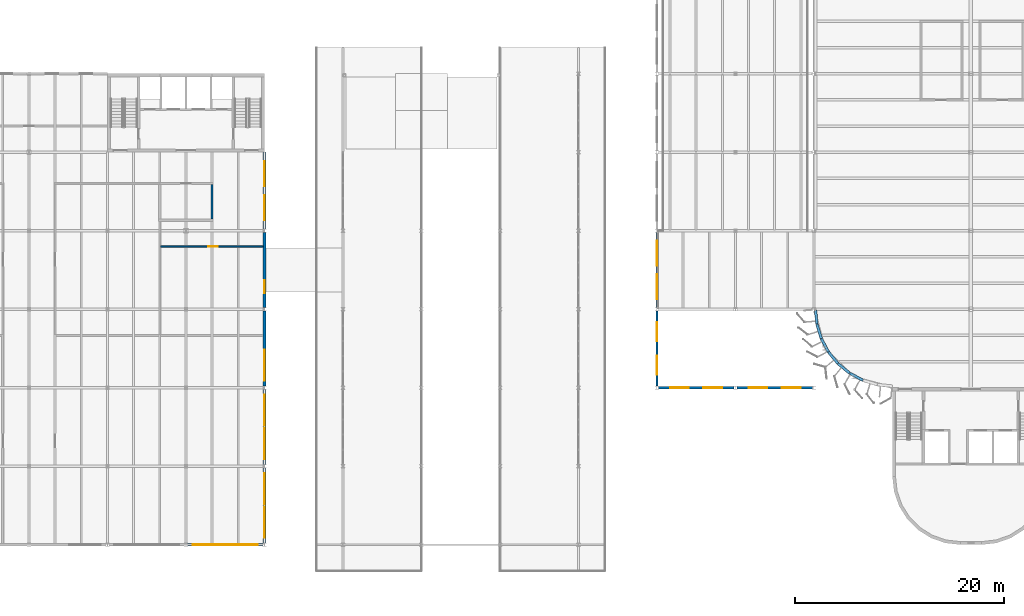
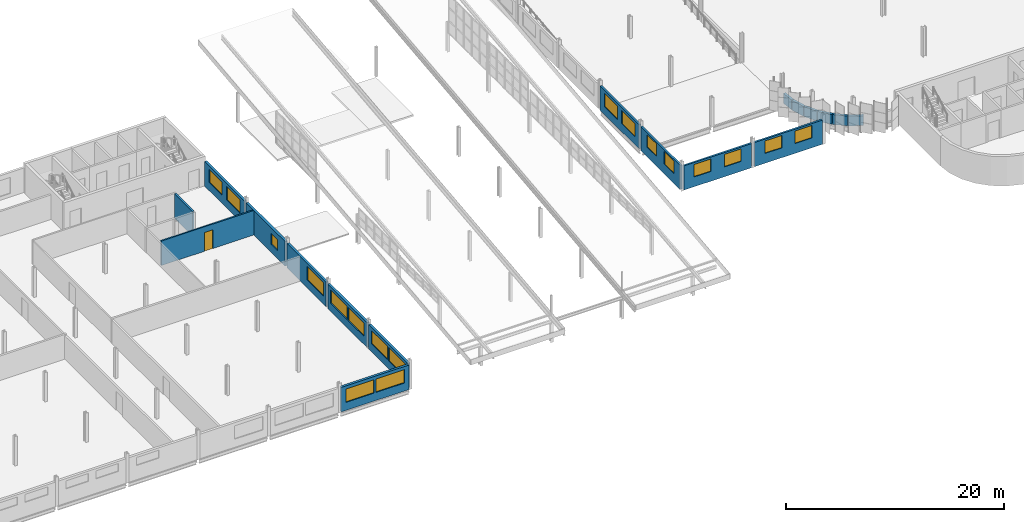
# One storey, part 59 of 199: 18 walls, 18 windows, 1 door, 19 openings.
"""IFC4 building model written with IfcOpenShell, lengths in metres."""

from ifc_helpers import new_model, si_unit, direction, frame, frame_2d, origin, place, context, subcontext, project, spatial, rectangle, extrude, material, layer, layer_set, type_object, element, fill, save


model = new_model("IFC4")

# Units and contexts
model_context = context("Model", 3, precision=1e-05, world=origin(), true_north=direction((0.0, 1.0)))
body_context = subcontext(model_context, "Body", "Model", "MODEL_VIEW")
ifc_project = project(units=[si_unit("LENGTHUNIT", "METRE"), si_unit("AREAUNIT", "SQUARE_METRE"), si_unit("VOLUMEUNIT", "CUBIC_METRE"), si_unit("PLANEANGLEUNIT", "RADIAN"), si_unit("MASSUNIT", "GRAM", prefix="KILO")], contexts=[model_context])

# Site, building, storey
site_placement = place(None, origin())
site = spatial("IfcSite", under=ifc_project, at=site_placement, CompositionType="ELEMENT")
building_placement = place(site_placement, origin())
building = spatial("IfcBuilding", under=site, at=building_placement, Name="Parallax Yard Mobility Hub", CompositionType="ELEMENT")
storey_placement = place(building_placement, frame((0.0, 0.0, 9.89990234375)))
storey = spatial("IfcBuildingStorey", under=building, at=storey_placement, Name="L03", CompositionType="ELEMENT", Elevation=9.89990234375)

# Walls
ifc_material_1 = material(Name="Concrete fc' 35 MPa", Category="concrete")
ifc_layer_1 = layer(ifc_material_1, 0.25)
ifc_layer_set_1 = layer_set([ifc_layer_1], Name="Deck-edge barrier wall, Concrete fc' 35 MPa precast, 250")
wall_type_1 = type_object("IfcWallType", Name="Deck-edge barrier wall, Concrete fc' 35 MPa precast, 250", PredefinedType="SOLIDWALL", material=ifc_layer_set_1)
wall_1_placement = place(storey_placement, frame((195.158935546875, 29.90380859375, 0.0), z_axis=(0.0, 0.0, 1.0), x_axis=(0.098067173263, -0.995179797588, 0.0)))
element("IfcWall", 1, at=wall_1_placement, inside=storey, type_object=wall_type_1, Name="Deck-edge barrier wall bay 30-1 level L03", PredefinedType="SOLIDWALL", context=body_context, shape_type="SweptSolid", body=[
    extrude(rectangle(XDim=1.329345703125, YDim=0.25, at=frame_2d((0.66455078125, 0.0))), origin(), (0.0, 0.0, 1.0), 1.10009765625),
])
wall_2_placement = place(storey_placement, frame((195.294921875, 28.55224609375, 0.0), z_axis=(0.0, 0.0, 1.0), x_axis=(0.290156256793, -0.956979282244, 0.0)))
element("IfcWall", 2, at=wall_2_placement, inside=storey, type_object=wall_type_1, Name="Deck-edge barrier wall bay 30-2 level L03", PredefinedType="SOLIDWALL", context=body_context, shape_type="SweptSolid", body=[
    extrude(rectangle(XDim=1.4111328125, YDim=0.25, at=frame_2d((0.70556640625, 0.0))), origin(), (0.0, 0.0, 1.0), 1.10009765625),
])
wall_3_placement = place(storey_placement, frame((195.715576171875, 27.1748046875, 0.0), z_axis=(0.0, 0.0, 1.0), x_axis=(0.47134246414, -0.881950271557, 0.0)))
element("IfcWall", 3, at=wall_3_placement, inside=storey, type_object=wall_type_1, Name="Deck-edge barrier wall bay 30-3 level L03", PredefinedType="SOLIDWALL", context=body_context, shape_type="SweptSolid", body=[
    extrude(rectangle(XDim=1.410888671875, YDim=0.25, at=frame_2d((0.70556640625, 0.0))), origin(), (0.0, 0.0, 1.0), 1.10009765625),
])
wall_4_placement = place(storey_placement, frame((196.396728515625, 25.90625, 0.0), z_axis=(0.0, 0.0, 1.0), x_axis=(0.634226469424, -0.773147324565, 0.0)))
element("IfcWall", 4, at=wall_4_placement, inside=storey, type_object=wall_type_1, Name="Deck-edge barrier wall bay 30-4 level L03", PredefinedType="SOLIDWALL", context=body_context, shape_type="SweptSolid", body=[
    extrude(rectangle(XDim=1.4111328125, YDim=0.25, at=frame_2d((0.70556640625, 0.0))), origin(), (0.0, 0.0, 1.0), 1.10009765625),
])
wall_5_placement = place(storey_placement, frame((197.3125, 24.794677734375, 0.0), z_axis=(0.0, 0.0, 1.0), x_axis=(0.772853557298, -0.634584414378, 0.0)))
element("IfcWall", 5, at=wall_5_placement, inside=storey, type_object=wall_type_1, Name="Deck-edge barrier wall bay 30-5 level L03", PredefinedType="SOLIDWALL", context=body_context, shape_type="SweptSolid", body=[
    extrude(rectangle(XDim=1.410888671875, YDim=0.25, at=frame_2d((0.70556640625, 0.0))), origin(), (0.0, 0.0, 1.0), 1.10009765625),
])
wall_6_placement = place(storey_placement, frame((198.427001953125, 23.883056640625, 0.0), z_axis=(0.0, 0.0, 1.0), x_axis=(0.881695934993, -0.471818056265, 0.0)))
element("IfcWall", 6, at=wall_6_placement, inside=storey, type_object=wall_type_1, Name="Deck-edge barrier wall bay 30-6 level L03", PredefinedType="SOLIDWALL", context=body_context, shape_type="SweptSolid", body=[
    extrude(rectangle(XDim=1.4111328125, YDim=0.25, at=frame_2d((0.70556640625, 0.0))), origin(), (0.0, 0.0, 1.0), 1.10009765625),
])

# Wall, openings, windows
ifc_layer_2 = layer(ifc_material_1, 0.25)
ifc_layer_set_2 = layer_set([ifc_layer_2], Name="Exterior wall, Concrete fc' 35 MPa precast, 250 with insulation lining")
wall_type_2 = type_object("IfcWallType", Name="Exterior wall, Concrete fc' 35 MPa precast, 250 with insulation lining", PredefinedType="SOLIDWALL", material=ifc_layer_set_2)
wall_7_placement = place(storey_placement, frame((135.153564453125, 7.5, 0.0), z_axis=(0.0, 0.0, 1.0), x_axis=(1.0, 0.0, 0.0)))
wall_7 = element("IfcWall", 7, at=wall_7_placement, inside=storey, type_object=wall_type_2, Name="Mobility service centre and workshops south wall bay 6 level L03", PredefinedType="SOLIDWALL", context=body_context, shape_type="SweptSolid", body=[
    extrude(rectangle(XDim=7.19287109375, YDim=0.25, at=frame_2d((3.596435546875, 0.0))), origin(), (0.0, 0.0, 1.0), 2.7509765625),
])
opening_1_placement = place(wall_7_placement, frame((0.497802734375, 0.0, 0.89990234375)))
opening_1 = element("IfcOpeningElement", 8, at=opening_1_placement, cuts=wall_7, Name="Opening W7", PredefinedType="OPENING", context=body_context, shape_type="SweptSolid", body=[
    extrude(rectangle(XDim=3.0, YDim=1.5, at=frame_2d((1.5, 0.75))), frame((0.0, 0.135009765625, 0.0), z_axis=(0.0, -1.0, 0.0), x_axis=(1.0, 0.0, 0.0)), (0.0, 0.0, 1.0), 0.27001953125),
])
opening_2_placement = place(wall_7_placement, frame((3.6953125, 0.0, 0.89990234375)))
opening_2 = element("IfcOpeningElement", 9, at=opening_2_placement, cuts=wall_7, Name="Opening W7", PredefinedType="OPENING", context=body_context, shape_type="SweptSolid", body=[
    extrude(rectangle(XDim=3.0, YDim=1.5, at=frame_2d((1.5, 0.75))), frame((0.0, 0.135009765625, 0.0), z_axis=(0.0, -1.0, 0.0), x_axis=(1.0, 0.0, 0.0)), (0.0, 0.0, 1.0), 0.27001953125),
])
ifc_material_2 = material(Name="Double glazed low-E unit in thermally broken aluminium frame", Category="aluminium")
window_type_1 = type_object("IfcWindowType", Name="Meeting room window 3000 x 1500", PartitioningType="TRIPLE_PANEL_VERTICAL", PredefinedType="WINDOW", material=ifc_material_2)
window_1_placement = place(opening_1_placement, origin())
window_1 = element("IfcWindow", 10, at=window_1_placement, inside=storey, type_object=window_type_1, Name="Window W7 level L03", OverallHeight=1.5, OverallWidth=3.0, PartitioningType="TRIPLE_PANEL_VERTICAL", PredefinedType="WINDOW", context=body_context, shape_type="SweptSolid", body=[
    extrude(rectangle(XDim=3.0, YDim=1.5, at=frame_2d((1.5, 0.75))), frame((0.0, 0.030029296875, 0.0), z_axis=(0.0, -1.0, 0.0), x_axis=(1.0, 0.0, 0.0)), (0.0, 0.0, 1.0), 0.06005859375),
])
fill(opening_1, window_1)
window_2_placement = place(opening_2_placement, origin())
window_2 = element("IfcWindow", 11, at=window_2_placement, inside=storey, type_object=window_type_1, Name="Window W7 level L03", OverallHeight=1.5, OverallWidth=3.0, PartitioningType="TRIPLE_PANEL_VERTICAL", PredefinedType="WINDOW", context=body_context, shape_type="SweptSolid", body=[
    extrude(rectangle(XDim=3.0, YDim=1.5, at=frame_2d((1.5, 0.75))), frame((0.0, 0.030029296875, 0.0), z_axis=(0.0, -1.0, 0.0), x_axis=(1.0, 0.0, 0.0)), (0.0, 0.0, 1.0), 0.06005859375),
])
fill(opening_2, window_2)

wall_8_placement = place(storey_placement, frame((142.5, 7.653564453125, 0.0), z_axis=(0.0, 0.0, 1.0), x_axis=(0.0, 1.0, 0.0)))
wall_8 = element("IfcWall", 12, at=wall_8_placement, inside=storey, type_object=wall_type_2, Name="Mobility service centre and workshops east wall bay 1 level L03", PredefinedType="SOLIDWALL", context=body_context, shape_type="SweptSolid", body=[
    extrude(rectangle(XDim=7.19287109375, YDim=0.25, at=frame_2d((3.596435546875, 0.0))), origin(), (0.0, 0.0, 1.0), 2.7509765625),
])
opening_3_placement = place(wall_8_placement, frame((0.497802734375, 0.0, 0.89990234375)))
opening_3 = element("IfcOpeningElement", 13, at=opening_3_placement, cuts=wall_8, Name="Opening W7", PredefinedType="OPENING", context=body_context, shape_type="SweptSolid", body=[
    extrude(rectangle(XDim=3.0, YDim=1.5, at=frame_2d((1.5, 0.75))), frame((0.0, 0.135009765625, 0.0), z_axis=(0.0, -1.0, 0.0), x_axis=(1.0, 0.0, 0.0)), (0.0, 0.0, 1.0), 0.27001953125),
])
opening_4_placement = place(wall_8_placement, frame((3.6953125, 0.0, 0.89990234375)))
opening_4 = element("IfcOpeningElement", 14, at=opening_4_placement, cuts=wall_8, Name="Opening W7", PredefinedType="OPENING", context=body_context, shape_type="SweptSolid", body=[
    extrude(rectangle(XDim=3.0, YDim=1.5, at=frame_2d((1.5, 0.75))), frame((0.0, 0.135009765625, 0.0), z_axis=(0.0, -1.0, 0.0), x_axis=(1.0, 0.0, 0.0)), (0.0, 0.0, 1.0), 0.27001953125),
])
window_3_placement = place(opening_3_placement, origin())
window_3 = element("IfcWindow", 15, at=window_3_placement, inside=storey, type_object=window_type_1, Name="Window W7 level L03", OverallHeight=1.5, OverallWidth=3.0, PartitioningType="TRIPLE_PANEL_VERTICAL", PredefinedType="WINDOW", context=body_context, shape_type="SweptSolid", body=[
    extrude(rectangle(XDim=3.0, YDim=1.5, at=frame_2d((1.5, 0.75))), frame((0.0, 0.030029296875, 0.0), z_axis=(0.0, -1.0, 0.0), x_axis=(1.0, 0.0, 0.0)), (0.0, 0.0, 1.0), 0.06005859375),
])
fill(opening_3, window_3)
window_4_placement = place(opening_4_placement, origin())
window_4 = element("IfcWindow", 16, at=window_4_placement, inside=storey, type_object=window_type_1, Name="Window W7 level L03", OverallHeight=1.5, OverallWidth=3.0, PartitioningType="TRIPLE_PANEL_VERTICAL", PredefinedType="WINDOW", context=body_context, shape_type="SweptSolid", body=[
    extrude(rectangle(XDim=3.0, YDim=1.5, at=frame_2d((1.5, 0.75))), frame((0.0, 0.030029296875, 0.0), z_axis=(0.0, -1.0, 0.0), x_axis=(1.0, 0.0, 0.0)), (0.0, 0.0, 1.0), 0.06005859375),
])
fill(opening_4, window_4)

wall_9_placement = place(storey_placement, frame((142.5, 15.153564453125, 0.0), z_axis=(0.0, 0.0, 1.0), x_axis=(0.0, 1.0, 0.0)))
wall_9 = element("IfcWall", 17, at=wall_9_placement, inside=storey, type_object=wall_type_2, Name="Mobility service centre and workshops east wall bay 2 level L03", PredefinedType="SOLIDWALL", context=body_context, shape_type="SweptSolid", body=[
    extrude(rectangle(XDim=7.19287109375, YDim=0.25, at=frame_2d((3.596435546875, 0.0))), origin(), (0.0, 0.0, 1.0), 2.7509765625),
])
opening_5_placement = place(wall_9_placement, frame((0.497802734375, 0.0, 0.89990234375)))
opening_5 = element("IfcOpeningElement", 18, at=opening_5_placement, cuts=wall_9, Name="Opening W7", PredefinedType="OPENING", context=body_context, shape_type="SweptSolid", body=[
    extrude(rectangle(XDim=3.0, YDim=1.5, at=frame_2d((1.5, 0.75))), frame((0.0, 0.135009765625, 0.0), z_axis=(0.0, -1.0, 0.0), x_axis=(1.0, 0.0, 0.0)), (0.0, 0.0, 1.0), 0.27001953125),
])
opening_6_placement = place(wall_9_placement, frame((3.6953125, 0.0, 0.89990234375)))
opening_6 = element("IfcOpeningElement", 19, at=opening_6_placement, cuts=wall_9, Name="Opening W7", PredefinedType="OPENING", context=body_context, shape_type="SweptSolid", body=[
    extrude(rectangle(XDim=3.0, YDim=1.5, at=frame_2d((1.5, 0.75))), frame((0.0, 0.135009765625, 0.0), z_axis=(0.0, -1.0, 0.0), x_axis=(1.0, 0.0, 0.0)), (0.0, 0.0, 1.0), 0.27001953125),
])
window_5_placement = place(opening_5_placement, origin())
window_5 = element("IfcWindow", 20, at=window_5_placement, inside=storey, type_object=window_type_1, Name="Window W7 level L03", OverallHeight=1.5, OverallWidth=3.0, PartitioningType="TRIPLE_PANEL_VERTICAL", PredefinedType="WINDOW", context=body_context, shape_type="SweptSolid", body=[
    extrude(rectangle(XDim=3.0, YDim=1.5, at=frame_2d((1.5, 0.75))), frame((0.0, 0.030029296875, 0.0), z_axis=(0.0, -1.0, 0.0), x_axis=(1.0, 0.0, 0.0)), (0.0, 0.0, 1.0), 0.06005859375),
])
fill(opening_5, window_5)
window_6_placement = place(opening_6_placement, origin())
window_6 = element("IfcWindow", 21, at=window_6_placement, inside=storey, type_object=window_type_1, Name="Window W7 level L03", OverallHeight=1.5, OverallWidth=3.0, PartitioningType="TRIPLE_PANEL_VERTICAL", PredefinedType="WINDOW", context=body_context, shape_type="SweptSolid", body=[
    extrude(rectangle(XDim=3.0, YDim=1.5, at=frame_2d((1.5, 0.75))), frame((0.0, 0.030029296875, 0.0), z_axis=(0.0, -1.0, 0.0), x_axis=(1.0, 0.0, 0.0)), (0.0, 0.0, 1.0), 0.06005859375),
])
fill(opening_6, window_6)

# Wall, opening, window
wall_10_placement = place(storey_placement, frame((142.5, 22.653564453125, 0.0), z_axis=(0.0, 0.0, 1.0), x_axis=(0.0, 1.0, 0.0)))
wall_10 = element("IfcWall", 22, at=wall_10_placement, inside=storey, type_object=wall_type_2, Name="Mobility service centre and workshops east wall bay 3 level L03", PredefinedType="SOLIDWALL", context=body_context, shape_type="SweptSolid", body=[
    extrude(rectangle(XDim=7.19287109375, YDim=0.25, at=frame_2d((3.596435546875, 0.0))), origin(), (0.0, 0.0, 1.0), 2.7509765625),
])
opening_7_placement = place(wall_10_placement, frame((0.497802734375, 0.0, 0.89990234375)))
opening_7 = element("IfcOpeningElement", 23, at=opening_7_placement, cuts=wall_10, Name="Opening W7", PredefinedType="OPENING", context=body_context, shape_type="SweptSolid", body=[
    extrude(rectangle(XDim=3.0, YDim=1.5, at=frame_2d((1.5, 0.75))), frame((0.0, 0.135009765625, 0.0), z_axis=(0.0, -1.0, 0.0), x_axis=(1.0, 0.0, 0.0)), (0.0, 0.0, 1.0), 0.27001953125),
])
window_7_placement = place(opening_7_placement, origin())
window_7 = element("IfcWindow", 24, at=window_7_placement, inside=storey, type_object=window_type_1, Name="Window W7 level L03", OverallHeight=1.5, OverallWidth=3.0, PartitioningType="TRIPLE_PANEL_VERTICAL", PredefinedType="WINDOW", context=body_context, shape_type="SweptSolid", body=[
    extrude(rectangle(XDim=3.0, YDim=1.5, at=frame_2d((1.5, 0.75))), frame((0.0, 0.030029296875, 0.0), z_axis=(0.0, -1.0, 0.0), x_axis=(1.0, 0.0, 0.0)), (0.0, 0.0, 1.0), 0.06005859375),
])
fill(opening_7, window_7)

wall_11_placement = place(storey_placement, frame((142.5, 30.153564453125, 0.0), z_axis=(0.0, 0.0, 1.0), x_axis=(0.0, 1.0, 0.0)))
wall_11 = element("IfcWall", 25, at=wall_11_placement, inside=storey, type_object=wall_type_2, Name="Mobility service centre and workshops east wall bay 4 level L03", PredefinedType="SOLIDWALL", context=body_context, shape_type="SweptSolid", body=[
    extrude(rectangle(XDim=7.1875, YDim=0.25, at=frame_2d((3.59375, 0.0))), origin(), (0.0, 0.0, 1.0), 2.7509765625),
])
opening_8_placement = place(wall_11_placement, frame((1.395751953125, 0.0, 0.89990234375)))
opening_8 = element("IfcOpeningElement", 26, at=opening_8_placement, cuts=wall_11, Name="Opening W6", PredefinedType="OPENING", context=body_context, shape_type="SweptSolid", body=[
    extrude(rectangle(XDim=1.199951171875, YDim=1.199951171875, at=frame_2d((0.60009765625, 0.60009765625))), frame((0.0, 0.135009765625, 0.0), z_axis=(0.0, -1.0, 0.0), x_axis=(1.0, 0.0, 0.0)), (0.0, 0.0, 1.0), 0.27001953125),
])
window_type_2 = type_object("IfcWindowType", Name="Staff room window 1200 x 1200", PartitioningType="SINGLE_PANEL", PredefinedType="WINDOW", material=ifc_material_2)
window_8_placement = place(opening_8_placement, origin())
window_8 = element("IfcWindow", 27, at=window_8_placement, inside=storey, type_object=window_type_2, Name="Window W6 level L03", OverallHeight=1.199951171875, OverallWidth=1.199951171875, PartitioningType="SINGLE_PANEL", PredefinedType="WINDOW", context=body_context, shape_type="SweptSolid", body=[
    extrude(rectangle(XDim=1.199951171875, YDim=1.199951171875, at=frame_2d((0.60009765625, 0.60009765625))), frame((0.0, 0.030029296875, 0.0), z_axis=(0.0, -1.0, 0.0), x_axis=(1.0, 0.0, 0.0)), (0.0, 0.0, 1.0), 0.06005859375),
])
fill(opening_8, window_8)

# Wall, openings, windows
wall_12_placement = place(storey_placement, frame((142.5, 37.658935546875, 0.0), z_axis=(0.0, 0.0, 1.0), x_axis=(0.0, 1.0, 0.0)))
wall_12 = element("IfcWall", 28, at=wall_12_placement, inside=storey, type_object=wall_type_2, Name="Mobility service centre and workshops east wall bay 5 level L03", PredefinedType="SOLIDWALL", context=body_context, shape_type="SweptSolid", body=[
    extrude(rectangle(XDim=7.341064453125, YDim=0.25, at=frame_2d((3.67041015625, 0.0))), origin(), (0.0, 0.0, 1.0), 2.7509765625),
])
opening_9_placement = place(wall_12_placement, frame((0.846923828125, 0.0, 0.89990234375)))
opening_9 = element("IfcOpeningElement", 29, at=opening_9_placement, cuts=wall_12, Name="Opening W1", PredefinedType="OPENING", context=body_context, shape_type="SweptSolid", body=[
    extrude(rectangle(XDim=2.39990234375, YDim=1.5, at=frame_2d((1.199951171875, 0.75))), frame((0.0, 0.135009765625, 0.0), z_axis=(0.0, -1.0, 0.0), x_axis=(1.0, 0.0, 0.0)), (0.0, 0.0, 1.0), 0.27001953125),
])
opening_10_placement = place(wall_12_placement, frame((4.093994140625, 0.0, 0.89990234375)))
opening_10 = element("IfcOpeningElement", 30, at=opening_10_placement, cuts=wall_12, Name="Opening W1", PredefinedType="OPENING", context=body_context, shape_type="SweptSolid", body=[
    extrude(rectangle(XDim=2.39990234375, YDim=1.5, at=frame_2d((1.199951171875, 0.75))), frame((0.0, 0.135009765625, 0.0), z_axis=(0.0, -1.0, 0.0), x_axis=(1.0, 0.0, 0.0)), (0.0, 0.0, 1.0), 0.27001953125),
])
window_type_3 = type_object("IfcWindowType", Name="Window 2400 x 1500", PartitioningType="DOUBLE_PANEL_VERTICAL", PredefinedType="WINDOW", material=ifc_material_2)
window_9_placement = place(opening_9_placement, origin())
window_9 = element("IfcWindow", 31, at=window_9_placement, inside=storey, type_object=window_type_3, Name="Window W1 level L03", OverallHeight=1.5, OverallWidth=2.39990234375, PartitioningType="DOUBLE_PANEL_VERTICAL", PredefinedType="WINDOW", context=body_context, shape_type="SweptSolid", body=[
    extrude(rectangle(XDim=2.39990234375, YDim=1.5, at=frame_2d((1.199951171875, 0.75))), frame((0.0, 0.030029296875, 0.0), z_axis=(0.0, -1.0, 0.0), x_axis=(1.0, 0.0, 0.0)), (0.0, 0.0, 1.0), 0.06005859375),
])
fill(opening_9, window_9)
window_10_placement = place(opening_10_placement, origin())
window_10 = element("IfcWindow", 32, at=window_10_placement, inside=storey, type_object=window_type_3, Name="Window W1 level L03", OverallHeight=1.5, OverallWidth=2.39990234375, PartitioningType="DOUBLE_PANEL_VERTICAL", PredefinedType="WINDOW", context=body_context, shape_type="SweptSolid", body=[
    extrude(rectangle(XDim=2.39990234375, YDim=1.5, at=frame_2d((1.199951171875, 0.75))), frame((0.0, 0.030029296875, 0.0), z_axis=(0.0, -1.0, 0.0), x_axis=(1.0, 0.0, 0.0)), (0.0, 0.0, 1.0), 0.06005859375),
])
fill(opening_10, window_10)

# Wall
ifc_material_3 = material(Name="Fire-rated plasterboard partition, two layers each side")
ifc_layer_3 = layer(ifc_material_3, 0.199951171875)
ifc_layer_set_3 = layer_set([ifc_layer_3], Name="Fire-rated partition 200 mm")
wall_type_3 = type_object("IfcWallType", Name="Fire-rated partition 200 mm", PredefinedType="PARTITIONING", material=ifc_layer_set_3)
wall_13_placement = place(storey_placement, frame((137.5, 38.60009765625, 0.0), z_axis=(0.0, 0.0, 1.0), x_axis=(0.0, 1.0, 0.0)))
element("IfcWall", 33, at=wall_13_placement, inside=storey, type_object=wall_type_3, Name="Partition 35 level L03", PredefinedType="PARTITIONING", context=body_context, shape_type="SweptSolid", body=[
    extrude(rectangle(XDim=3.2998046875, YDim=0.199951171875, at=frame_2d((1.64990234375, 0.0))), origin(), (0.0, 0.0, 1.0), 2.754150390625),
])

# Wall, openings, windows
ifc_layer_4 = layer(ifc_material_1, 0.199951171875)
ifc_layer_set_4 = layer_set([ifc_layer_4], Name="Louvre screen wall, Concrete fc' 35 MPa precast, 200")
wall_type_4 = type_object("IfcWallType", Name="Louvre screen wall, Concrete fc' 35 MPa precast, 200", PredefinedType="SOLIDWALL", material=ifc_layer_set_4)
wall_14_placement = place(storey_placement, frame((180.0, 22.653564453125, 0.0), z_axis=(0.0, 0.0, 1.0), x_axis=(0.0, 1.0, 0.0)))
wall_14 = element("IfcWall", 34, at=wall_14_placement, inside=storey, type_object=wall_type_4, Name="Ramp house west wall bay 1 level L03", PredefinedType="SOLIDWALL", context=body_context, shape_type="SweptSolid", body=[
    extrude(rectangle(XDim=7.19287109375, YDim=0.199951171875, at=frame_2d((3.596435546875, 0.0))), origin(), (0.0, 0.0, 1.0), 2.710205078125),
])
opening_11_placement = place(wall_14_placement, frame((1.09765625, 0.0, 1.10009765625)))
opening_11 = element("IfcOpeningElement", 35, at=opening_11_placement, cuts=wall_14, Name="Opening LV2", PredefinedType="OPENING", context=body_context, shape_type="SweptSolid", body=[
    extrude(rectangle(XDim=1.800048828125, YDim=1.39990234375, at=frame_2d((0.89990234375, 0.699951171875))), frame((0.0, 0.10986328125, 0.0), z_axis=(0.0, -1.0, 0.0), x_axis=(1.0, 0.0, 0.0)), (0.0, 0.0, 1.0), 0.219970703125),
])
opening_12_placement = place(wall_14_placement, frame((4.29541015625, 0.0, 1.10009765625)))
opening_12 = element("IfcOpeningElement", 36, at=opening_12_placement, cuts=wall_14, Name="Opening LV2", PredefinedType="OPENING", context=body_context, shape_type="SweptSolid", body=[
    extrude(rectangle(XDim=1.800048828125, YDim=1.39990234375, at=frame_2d((0.89990234375, 0.699951171875))), frame((0.0, 0.10986328125, 0.0), z_axis=(0.0, -1.0, 0.0), x_axis=(1.0, 0.0, 0.0)), (0.0, 0.0, 1.0), 0.219970703125),
])
ifc_material_4 = material(Name="Extruded aluminium storm louvre blades in a powder-coated frame", Category="aluminium")
window_type_4 = type_object("IfcWindowType", Name="Screen louvre 1800 x 1400", PartitioningType="SINGLE_PANEL", PredefinedType="WINDOW", material=ifc_material_4)
window_11_placement = place(opening_11_placement, origin())
window_11 = element("IfcWindow", 37, at=window_11_placement, inside=storey, type_object=window_type_4, Name="LV2 louvre level L03", OverallHeight=1.39990234375, OverallWidth=1.800048828125, PartitioningType="SINGLE_PANEL", PredefinedType="WINDOW", context=body_context, shape_type="SweptSolid", body=[
    extrude(rectangle(XDim=1.800048828125, YDim=1.39990234375, at=frame_2d((0.89990234375, 0.699951171875))), frame((0.0, 0.030029296875, 0.0), z_axis=(0.0, -1.0, 0.0), x_axis=(1.0, 0.0, 0.0)), (0.0, 0.0, 1.0), 0.06005859375),
])
fill(opening_11, window_11)
window_12_placement = place(opening_12_placement, origin())
window_12 = element("IfcWindow", 38, at=window_12_placement, inside=storey, type_object=window_type_4, Name="LV2 louvre level L03", OverallHeight=1.39990234375, OverallWidth=1.800048828125, PartitioningType="SINGLE_PANEL", PredefinedType="WINDOW", context=body_context, shape_type="SweptSolid", body=[
    extrude(rectangle(XDim=1.800048828125, YDim=1.39990234375, at=frame_2d((0.89990234375, 0.699951171875))), frame((0.0, 0.030029296875, 0.0), z_axis=(0.0, -1.0, 0.0), x_axis=(1.0, 0.0, 0.0)), (0.0, 0.0, 1.0), 0.06005859375),
])
fill(opening_12, window_12)

wall_15_placement = place(storey_placement, frame((180.0, 30.153564453125, 0.0), z_axis=(0.0, 0.0, 1.0), x_axis=(0.0, 1.0, 0.0)))
wall_15 = element("IfcWall", 39, at=wall_15_placement, inside=storey, type_object=wall_type_4, Name="Ramp house west wall bay 2 level L03", PredefinedType="SOLIDWALL", context=body_context, shape_type="SweptSolid", body=[
    extrude(rectangle(XDim=7.19287109375, YDim=0.199951171875, at=frame_2d((3.596435546875, 0.0))), origin(), (0.0, 0.0, 1.0), 2.710205078125),
])
opening_13_placement = place(wall_15_placement, frame((0.797607421875, 0.0, 0.89990234375)))
opening_13 = element("IfcOpeningElement", 40, at=opening_13_placement, cuts=wall_15, Name="Opening W1", PredefinedType="OPENING", context=body_context, shape_type="SweptSolid", body=[
    extrude(rectangle(XDim=2.39990234375, YDim=1.5, at=frame_2d((1.199951171875, 0.75))), frame((0.0, 0.10986328125, 0.0), z_axis=(0.0, -1.0, 0.0), x_axis=(1.0, 0.0, 0.0)), (0.0, 0.0, 1.0), 0.219970703125),
])
opening_14_placement = place(wall_15_placement, frame((3.995361328125, 0.0, 0.89990234375)))
opening_14 = element("IfcOpeningElement", 41, at=opening_14_placement, cuts=wall_15, Name="Opening W1", PredefinedType="OPENING", context=body_context, shape_type="SweptSolid", body=[
    extrude(rectangle(XDim=2.39990234375, YDim=1.5, at=frame_2d((1.199951171875, 0.75))), frame((0.0, 0.10986328125, 0.0), z_axis=(0.0, -1.0, 0.0), x_axis=(1.0, 0.0, 0.0)), (0.0, 0.0, 1.0), 0.219970703125),
])
window_13_placement = place(opening_13_placement, origin())
window_13 = element("IfcWindow", 42, at=window_13_placement, inside=storey, type_object=window_type_3, Name="Window W1 level L03", OverallHeight=1.5, OverallWidth=2.39990234375, PartitioningType="DOUBLE_PANEL_VERTICAL", PredefinedType="WINDOW", context=body_context, shape_type="SweptSolid", body=[
    extrude(rectangle(XDim=2.39990234375, YDim=1.5, at=frame_2d((1.199951171875, 0.75))), frame((0.0, 0.030029296875, 0.0), z_axis=(0.0, -1.0, 0.0), x_axis=(1.0, 0.0, 0.0)), (0.0, 0.0, 1.0), 0.06005859375),
])
fill(opening_13, window_13)
window_14_placement = place(opening_14_placement, origin())
window_14 = element("IfcWindow", 43, at=window_14_placement, inside=storey, type_object=window_type_3, Name="Window W1 level L03", OverallHeight=1.5, OverallWidth=2.39990234375, PartitioningType="DOUBLE_PANEL_VERTICAL", PredefinedType="WINDOW", context=body_context, shape_type="SweptSolid", body=[
    extrude(rectangle(XDim=2.39990234375, YDim=1.5, at=frame_2d((1.199951171875, 0.75))), frame((0.0, 0.030029296875, 0.0), z_axis=(0.0, -1.0, 0.0), x_axis=(1.0, 0.0, 0.0)), (0.0, 0.0, 1.0), 0.06005859375),
])
fill(opening_14, window_14)

wall_16_placement = place(storey_placement, frame((180.153564453125, 22.5, 0.0), z_axis=(0.0, 0.0, 1.0), x_axis=(1.0, 0.0, 0.0)))
wall_16 = element("IfcWall", 44, at=wall_16_placement, inside=storey, type_object=wall_type_4, Name="Ramp house south wall bay 1 level L03", PredefinedType="SOLIDWALL", context=body_context, shape_type="SweptSolid", body=[
    extrude(rectangle(XDim=7.19287109375, YDim=0.199951171875, at=frame_2d((3.596435546875, 0.0))), origin(), (0.0, 0.0, 1.0), 2.710205078125),
])
opening_15_placement = place(wall_16_placement, frame((1.09765625, 0.0, 1.10009765625)))
opening_15 = element("IfcOpeningElement", 45, at=opening_15_placement, cuts=wall_16, Name="Opening LV2", PredefinedType="OPENING", context=body_context, shape_type="SweptSolid", body=[
    extrude(rectangle(XDim=1.800048828125, YDim=1.39990234375, at=frame_2d((0.89990234375, 0.699951171875))), frame((0.0, 0.10986328125, 0.0), z_axis=(0.0, -1.0, 0.0), x_axis=(1.0, 0.0, 0.0)), (0.0, 0.0, 1.0), 0.219970703125),
])
opening_16_placement = place(wall_16_placement, frame((4.29541015625, 0.0, 1.10009765625)))
opening_16 = element("IfcOpeningElement", 46, at=opening_16_placement, cuts=wall_16, Name="Opening LV2", PredefinedType="OPENING", context=body_context, shape_type="SweptSolid", body=[
    extrude(rectangle(XDim=1.800048828125, YDim=1.39990234375, at=frame_2d((0.89990234375, 0.699951171875))), frame((0.0, 0.10986328125, 0.0), z_axis=(0.0, -1.0, 0.0), x_axis=(1.0, 0.0, 0.0)), (0.0, 0.0, 1.0), 0.219970703125),
])
window_15_placement = place(opening_15_placement, origin())
window_15 = element("IfcWindow", 47, at=window_15_placement, inside=storey, type_object=window_type_4, Name="LV2 louvre level L03", OverallHeight=1.39990234375, OverallWidth=1.800048828125, PartitioningType="SINGLE_PANEL", PredefinedType="WINDOW", context=body_context, shape_type="SweptSolid", body=[
    extrude(rectangle(XDim=1.800048828125, YDim=1.39990234375, at=frame_2d((0.89990234375, 0.699951171875))), frame((0.0, 0.030029296875, 0.0), z_axis=(0.0, -1.0, 0.0), x_axis=(1.0, 0.0, 0.0)), (0.0, 0.0, 1.0), 0.06005859375),
])
fill(opening_15, window_15)
window_16_placement = place(opening_16_placement, origin())
window_16 = element("IfcWindow", 48, at=window_16_placement, inside=storey, type_object=window_type_4, Name="LV2 louvre level L03", OverallHeight=1.39990234375, OverallWidth=1.800048828125, PartitioningType="SINGLE_PANEL", PredefinedType="WINDOW", context=body_context, shape_type="SweptSolid", body=[
    extrude(rectangle(XDim=1.800048828125, YDim=1.39990234375, at=frame_2d((0.89990234375, 0.699951171875))), frame((0.0, 0.030029296875, 0.0), z_axis=(0.0, -1.0, 0.0), x_axis=(1.0, 0.0, 0.0)), (0.0, 0.0, 1.0), 0.06005859375),
])
fill(opening_16, window_16)

wall_17_placement = place(storey_placement, frame((187.653564453125, 22.5, 0.0), z_axis=(0.0, 0.0, 1.0), x_axis=(1.0, 0.0, 0.0)))
wall_17 = element("IfcWall", 49, at=wall_17_placement, inside=storey, type_object=wall_type_4, Name="Ramp house south wall bay 2 level L03", PredefinedType="SOLIDWALL", context=body_context, shape_type="SweptSolid", body=[
    extrude(rectangle(XDim=7.19287109375, YDim=0.199951171875, at=frame_2d((3.596435546875, 0.0))), origin(), (0.0, 0.0, 1.0), 2.710205078125),
])
opening_17_placement = place(wall_17_placement, frame((1.09765625, 0.0, 1.10009765625)))
opening_17 = element("IfcOpeningElement", 50, at=opening_17_placement, cuts=wall_17, Name="Opening LV2", PredefinedType="OPENING", context=body_context, shape_type="SweptSolid", body=[
    extrude(rectangle(XDim=1.800048828125, YDim=1.39990234375, at=frame_2d((0.89990234375, 0.699951171875))), frame((0.0, 0.10986328125, 0.0), z_axis=(0.0, -1.0, 0.0), x_axis=(1.0, 0.0, 0.0)), (0.0, 0.0, 1.0), 0.219970703125),
])
opening_18_placement = place(wall_17_placement, frame((4.29541015625, 0.0, 1.10009765625)))
opening_18 = element("IfcOpeningElement", 51, at=opening_18_placement, cuts=wall_17, Name="Opening LV2", PredefinedType="OPENING", context=body_context, shape_type="SweptSolid", body=[
    extrude(rectangle(XDim=1.800048828125, YDim=1.39990234375, at=frame_2d((0.89990234375, 0.699951171875))), frame((0.0, 0.10986328125, 0.0), z_axis=(0.0, -1.0, 0.0), x_axis=(1.0, 0.0, 0.0)), (0.0, 0.0, 1.0), 0.219970703125),
])
window_17_placement = place(opening_17_placement, origin())
window_17 = element("IfcWindow", 52, at=window_17_placement, inside=storey, type_object=window_type_4, Name="LV2 louvre level L03", OverallHeight=1.39990234375, OverallWidth=1.800048828125, PartitioningType="SINGLE_PANEL", PredefinedType="WINDOW", context=body_context, shape_type="SweptSolid", body=[
    extrude(rectangle(XDim=1.800048828125, YDim=1.39990234375, at=frame_2d((0.89990234375, 0.699951171875))), frame((0.0, 0.030029296875, 0.0), z_axis=(0.0, -1.0, 0.0), x_axis=(1.0, 0.0, 0.0)), (0.0, 0.0, 1.0), 0.06005859375),
])
fill(opening_17, window_17)
window_18_placement = place(opening_18_placement, origin())
window_18 = element("IfcWindow", 53, at=window_18_placement, inside=storey, type_object=window_type_4, Name="LV2 louvre level L03", OverallHeight=1.39990234375, OverallWidth=1.800048828125, PartitioningType="SINGLE_PANEL", PredefinedType="WINDOW", context=body_context, shape_type="SweptSolid", body=[
    extrude(rectangle(XDim=1.800048828125, YDim=1.39990234375, at=frame_2d((0.89990234375, 0.699951171875))), frame((0.0, 0.030029296875, 0.0), z_axis=(0.0, -1.0, 0.0), x_axis=(1.0, 0.0, 0.0)), (0.0, 0.0, 1.0), 0.06005859375),
])
fill(opening_18, window_18)

# Wall, opening, door
ifc_material_5 = material(Name="Plasterboard partition on light framing")
ifc_layer_5 = layer(ifc_material_5, 0.14990234375)
ifc_layer_set_5 = layer_set([ifc_layer_5], Name="Partition 150 mm")
wall_type_5 = type_object("IfcWallType", Name="Partition 150 mm", PredefinedType="PARTITIONING", material=ifc_layer_set_5)
wall_18_placement = place(storey_placement, frame((132.574951171875, 36.0, 0.0), z_axis=(0.0, 0.0, 1.0), x_axis=(1.0, 0.0, 0.0)))
wall_18 = element("IfcWall", 54, at=wall_18_placement, inside=storey, type_object=wall_type_5, Name="Partition 4 level L03", PredefinedType="PARTITIONING", context=body_context, shape_type="SweptSolid", body=[
    extrude(rectangle(XDim=9.800048828125, YDim=0.14990234375, at=frame_2d((4.89990234375, 0.0))), origin(), (0.0, 0.0, 1.0), 2.7509765625),
])
opening_19_placement = place(wall_18_placement, frame((4.550048828125, 0.0, 0.0)))
opening_19 = element("IfcOpeningElement", 55, at=opening_19_placement, cuts=wall_18, Name="Opening L03-D204", PredefinedType="OPENING", context=body_context, shape_type="SweptSolid", body=[
    extrude(rectangle(XDim=0.89990234375, YDim=2.10009765625, at=frame_2d((0.449951171875, 1.050048828125))), frame((0.0, 0.0849609375, 0.0), z_axis=(0.0, -1.0, 0.0), x_axis=(1.0, 0.0, 0.0)), (0.0, 0.0, 1.0), 0.169921875),
])
ifc_material_6 = material(Name="Solid timber door leaf", Category="wood")
door_type = type_object("IfcDoorType", Name="Interior door 900 mm", OperationType="NOTDEFINED", PredefinedType="DOOR", material=ifc_material_6)
door_placement = place(opening_19_placement, origin())
door = element("IfcDoor", 56, at=door_placement, inside=storey, type_object=door_type, Name="Door L03-D204 Staff Room", OperationType="SINGLE_SWING_RIGHT", OverallHeight=2.10009765625, OverallWidth=0.89990234375, PredefinedType="DOOR", context=body_context, shape_type="SweptSolid", body=[
    extrude(rectangle(XDim=0.89990234375, YDim=2.10009765625, at=frame_2d((0.449951171875, 1.050048828125))), frame((0.0, 0.02490234375, 0.0), z_axis=(0.0, -1.0, 0.0), x_axis=(1.0, 0.0, 0.0)), (0.0, 0.0, 1.0), 0.050048828125),
])
fill(opening_19, door)

save(model, "model.ifc")
